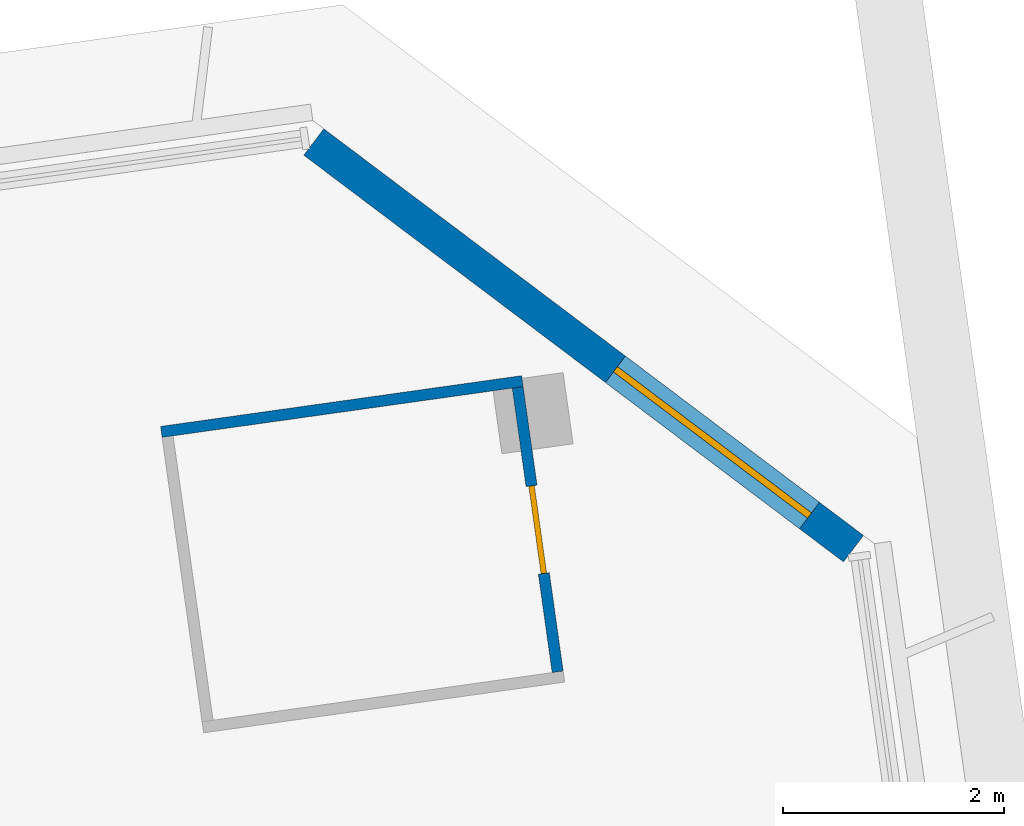
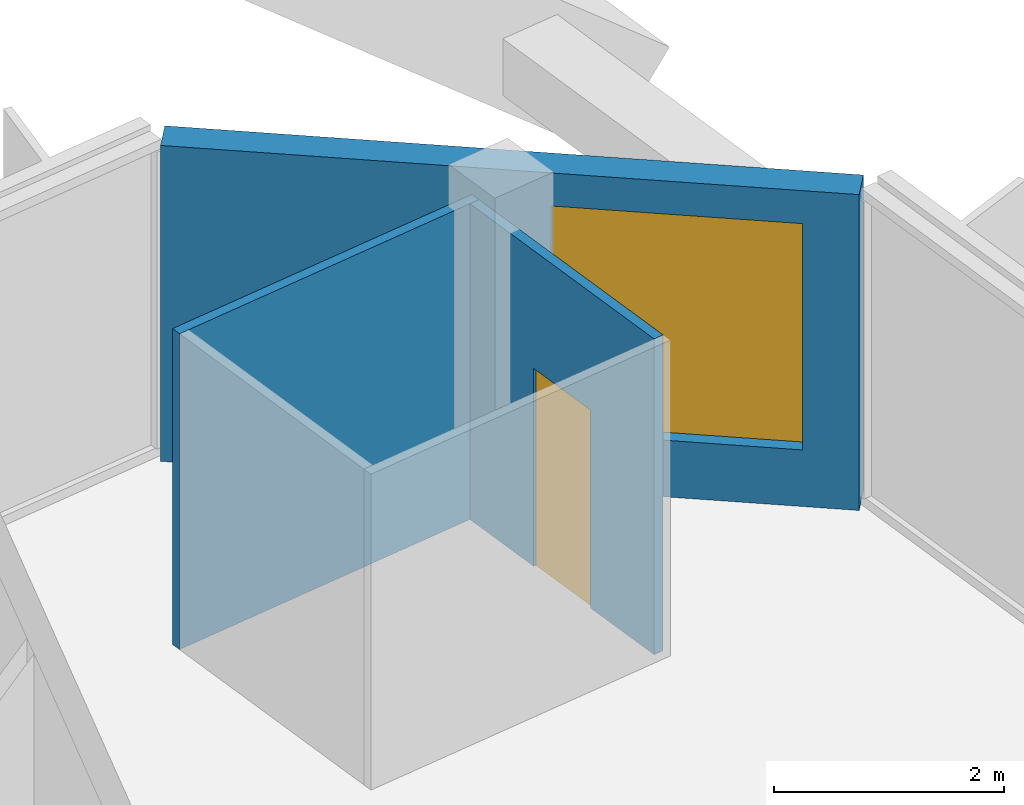
# One storey, part 20 of 25: 3 walls, 1 door, 1 window, 2 openings.
"""IFC4 building model written with IfcOpenShell, lengths in metres."""

from ifc_helpers import new_model, si_unit, direction, frame, frame_2d, origin, place, context, subcontext, project, spatial, rectangle, extrude, material, layer, layer_set, type_object, element, fill, save


model = new_model("IFC4")

# Units and contexts
model_context = context("Model", 3, precision=1e-05, world=origin(), true_north=direction((0.0, 1.0)))
body_context = subcontext(model_context, "Body", "Model", "MODEL_VIEW")
ifc_project = project(units=[si_unit("LENGTHUNIT", "METRE"), si_unit("AREAUNIT", "SQUARE_METRE"), si_unit("VOLUMEUNIT", "CUBIC_METRE"), si_unit("PLANEANGLEUNIT", "RADIAN"), si_unit("MASSUNIT", "GRAM", prefix="KILO")], contexts=[model_context])

# Site, building, storey
site_placement = place(None, origin())
site = spatial("IfcSite", under=ifc_project, at=site_placement, CompositionType="ELEMENT")
building_placement = place(site_placement, origin())
building = spatial("IfcBuilding", under=site, at=building_placement, Name="Mirante Cascada Hotel Towers", CompositionType="ELEMENT")
storey_placement = place(building_placement, frame((0.0, 0.0, 247.0)))
storey = spatial("IfcBuildingStorey", under=building, at=storey_placement, Name="L59", CompositionType="ELEMENT", Elevation=247.0)

# Wall
ifc_material_1 = material(Name="Plasterboard on metal studs")
ifc_layer_1 = layer(ifc_material_1, 0.1)
ifc_layer_set_1 = layer_set([ifc_layer_1], Name="Partition 100")
wall_type_1 = type_object("IfcWallType", Name="Partition 100", PredefinedType="PARTITIONING", material=ifc_layer_set_1)
wall_1_placement = place(storey_placement, frame((57.178, 18.3808, 0.0), z_axis=(0.0, 0.0, 1.0), x_axis=(0.990267, 0.139181, 0.0)))
element("IfcWall", 1, at=wall_1_placement, inside=storey, type_object=wall_type_1, Name="Wall 2-L59-24", PredefinedType="PARTITIONING", context=body_context, shape_type="SweptSolid", body=[
    extrude(rectangle(XDim=3.3, YDim=0.1, at=frame_2d((1.65, 0.0))), origin(), (0.0, 0.0, 1.0), 3.35),
])

# Wall, opening, door
wall_2_placement = place(storey_placement, frame((60.7652, 16.2089, 0.0), z_axis=(0.0, 0.0, 1.0), x_axis=(-0.1391541, 0.9902707, 0.0)))
wall_2 = element("IfcWall", 2, at=wall_2_placement, inside=storey, type_object=wall_type_1, Name="Wall 2-L59-50", PredefinedType="PARTITIONING", context=body_context, shape_type="SweptSolid", body=[
    extrude(rectangle(XDim=2.6, YDim=0.1, at=frame_2d((1.3, 0.0))), origin(), (0.0, 0.0, 1.0), 3.35),
])
opening_1_placement = place(wall_2_placement, frame((0.9, 0.0, 0.0)))
opening_1 = element("IfcOpeningElement", 3, at=opening_1_placement, cuts=wall_2, Name="Opening D2-L59-32", PredefinedType="OPENING", context=body_context, shape_type="SweptSolid", body=[
    extrude(rectangle(XDim=0.8, YDim=2.1, at=frame_2d((0.4, 1.05))), frame((0.0, 0.05, 0.0), z_axis=(0.0, -1.0, 0.0), x_axis=(1.0, 0.0, 0.0)), (0.0, 0.0, 1.0), 0.1),
])
ifc_material_2 = material(Name="Timber door leaf", Category="wood")
door_type = type_object("IfcDoorType", Name="Bathroom door DG4 800x2100", OperationType="SINGLE_SWING_LEFT", PredefinedType="DOOR", material=ifc_material_2)
door_placement = place(opening_1_placement, origin())
door = element("IfcDoor", 4, at=door_placement, inside=storey, type_object=door_type, Name="Door D2-L59-32", OperationType="SINGLE_SWING_LEFT", OverallHeight=2.1, OverallWidth=0.8, PredefinedType="DOOR", context=body_context, shape_type="SweptSolid", body=[
    extrude(rectangle(XDim=0.8, YDim=2.1, at=frame_2d((0.4, 1.05))), frame((0.0, 0.025, 0.0), z_axis=(0.0, -1.0, 0.0), x_axis=(1.0, 0.0, 0.0)), (0.0, 0.0, 1.0), 0.05),
])
fill(opening_1, door)

# Wall, opening, window
ifc_material_3 = material(Name="Precast concrete C40/50", Category="concrete")
ifc_layer_2 = layer(ifc_material_3, 0.3)
ifc_layer_set_2 = layer_set([ifc_layer_2], Name="Precast concrete C40/50 cladding wall 300")
wall_type_2 = type_object("IfcWallType", Name="Precast concrete C40/50 cladding wall 300", PredefinedType="STANDARD", material=ifc_layer_set_2)
wall_3_placement = place(storey_placement, frame((63.4422, 17.324, 0.0), z_axis=(0.0, 0.0, 1.0), x_axis=(-0.7986362, 0.6018141, 0.0)))
wall_3 = element("IfcWall", 5, at=wall_3_placement, inside=storey, type_object=wall_type_2, Name="Corner cladding wall T2 L59 outer front", PredefinedType="STANDARD", context=body_context, shape_type="SweptSolid", body=[
    extrude(rectangle(XDim=6.1157, YDim=0.3, at=frame_2d((3.0578, 0.0))), origin(), (0.0, 0.0, 1.0), 3.35),
])
opening_2_placement = place(wall_3_placement, frame((0.4975, 0.0, 0.6)))
opening_2 = element("IfcOpeningElement", 6, at=opening_2_placement, cuts=wall_3, Name="Opening W2-59-04", PredefinedType="OPENING", context=body_context, shape_type="SweptSolid", body=[
    extrude(rectangle(XDim=2.2, YDim=2.4, at=frame_2d((1.1, 1.2))), frame((0.0, 0.15, 0.0), z_axis=(0.0, -1.0, 0.0), x_axis=(1.0, 0.0, 0.0)), (0.0, 0.0, 1.0), 0.3),
])
ifc_material_4 = material(Name="Aluminium frame with clear double glazing", Category="aluminium")
window_type = type_object("IfcWindowType", Name="Corner suite window 2200x2400", PartitioningType="DOUBLE_PANEL_VERTICAL", PredefinedType="WINDOW", material=ifc_material_4)
window_placement = place(opening_2_placement, origin())
window = element("IfcWindow", 7, at=window_placement, inside=storey, type_object=window_type, Name="Window W2-59-04", OverallHeight=2.4, OverallWidth=2.2, PartitioningType="SINGLE_PANEL", PredefinedType="WINDOW", context=body_context, shape_type="SweptSolid", body=[
    extrude(rectangle(XDim=2.2, YDim=2.4, at=frame_2d((1.1, 1.2))), frame((0.0, 0.03, 0.0), z_axis=(0.0, -1.0, 0.0), x_axis=(1.0, 0.0, 0.0)), (0.0, 0.0, 1.0), 0.06),
])
fill(opening_2, window)

save(model, "model.ifc")
